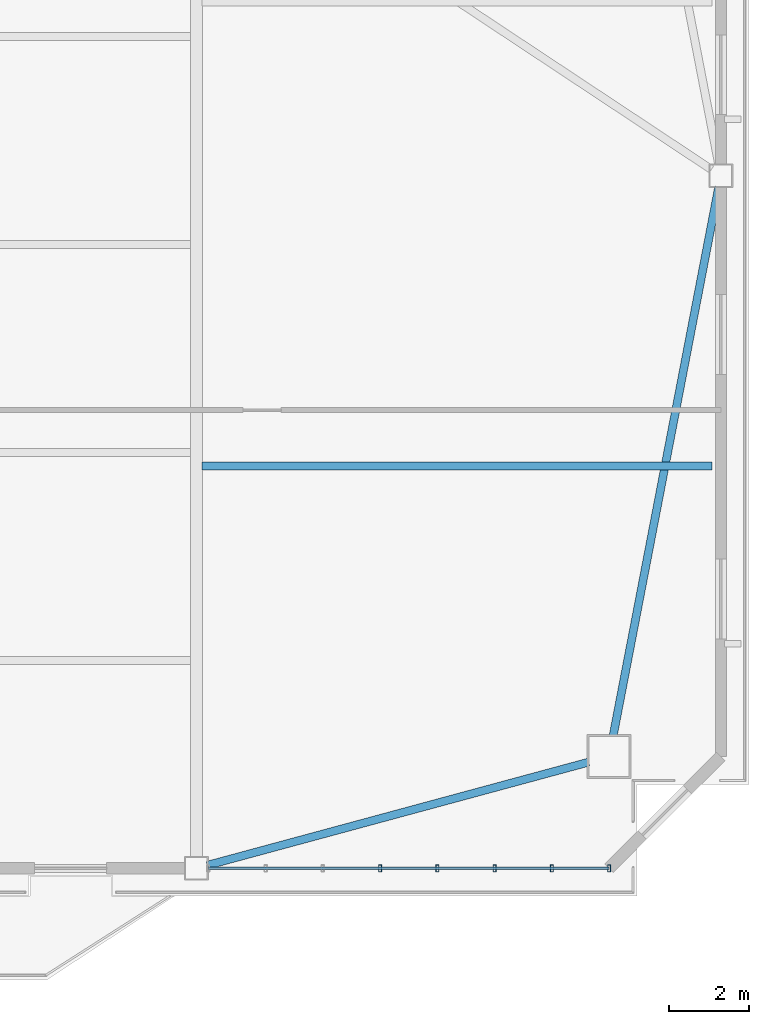
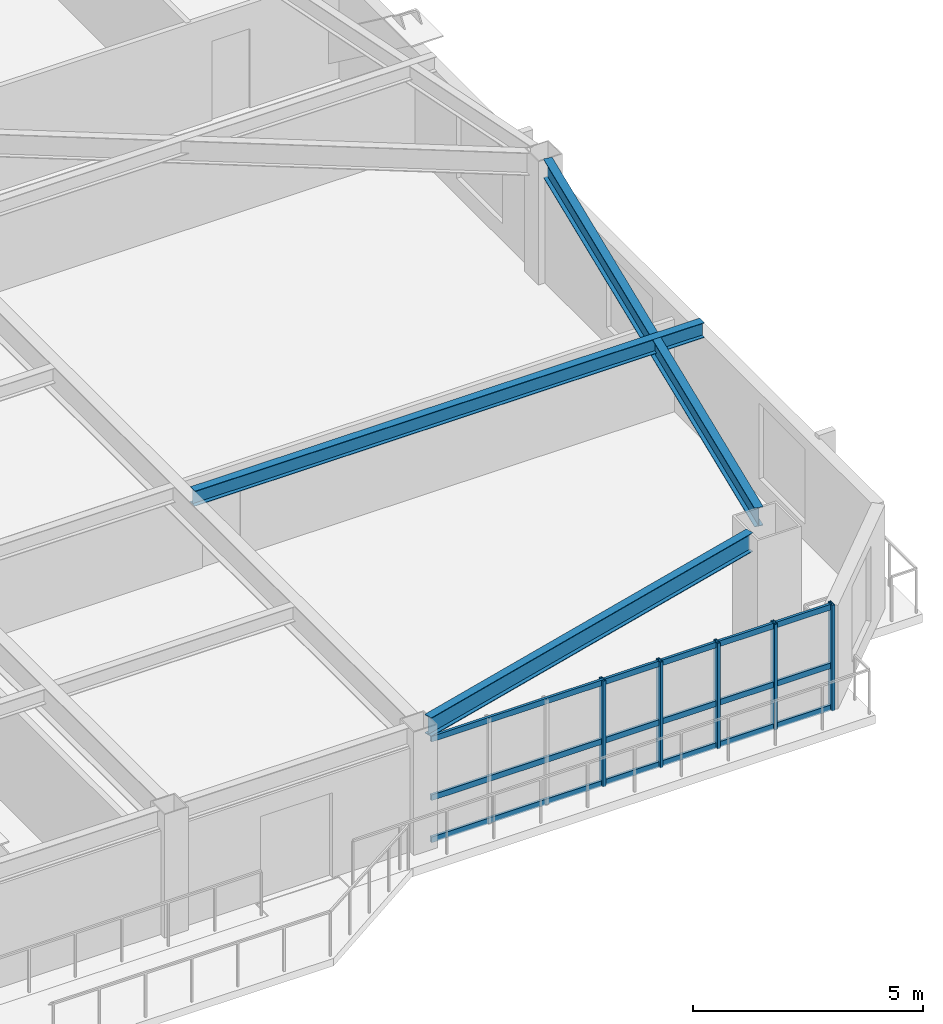
# One storey, part 6 of 17: 8 members, 3 beams, 1 element without a shape of its own.
"""IFC4 building model written with IfcOpenShell, lengths in metres."""

from ifc_helpers import new_model, si_unit, direction, frame, origin, origin_2d, place, context, subcontext, project, spatial, hollow_rectangle, i_section, extrude, source, transform, mapped, material, layer, layer_set, material_profile, profile_set, type_object, element, aggregate, save


model = new_model("IFC4")

# Units and contexts
model_context = context("Model", 3, precision=1e-05, world=origin(), true_north=direction((0.0, 1.0)))
body_context = subcontext(model_context, "Body", "Model", "MODEL_VIEW")
ifc_project = project(units=[si_unit("LENGTHUNIT", "METRE"), si_unit("AREAUNIT", "SQUARE_METRE"), si_unit("VOLUMEUNIT", "CUBIC_METRE"), si_unit("PLANEANGLEUNIT", "RADIAN"), si_unit("MASSUNIT", "GRAM", prefix="KILO")], contexts=[model_context])

# Site, building, storey
site_placement = place(None, origin())
site = spatial("IfcSite", under=ifc_project, at=site_placement, CompositionType="ELEMENT")
building_placement = place(site_placement, origin())
building = spatial("IfcBuilding", under=site, at=building_placement, Name="Giltprow Tower", CompositionType="ELEMENT")
storey_placement = place(building_placement, frame((0.0, 0.0, 206.199951171875)))
storey = spatial("IfcBuildingStorey", under=building, at=storey_placement, Name="L52", CompositionType="ELEMENT", Elevation=206.199951171875)

# Beams
ifc_material_1 = material(Name="Structural steel Q355B", Category="steel")
ifc_material_profile_1 = material_profile(ifc_material_1, i_section(OverallWidth=0.199951171875, OverallDepth=0.5, WebThickness=0.010009765625, FlangeThickness=0.01611328125, at=origin_2d()), Name="HN 500x200x10x16")
ifc_profile_set_1 = profile_set([ifc_material_profile_1], Name="Structural steel Q355B")
beam_type_1 = type_object("IfcBeamType", Name="BM-SPAN-HN500", PredefinedType="SPANDREL", material=ifc_profile_set_1)
shared_shape_1 = source(origin(), body_context, "Body", "SweptSolid", [
    extrude(i_section(OverallWidth=0.199951171875, OverallDepth=0.5, WebThickness=0.010009765625, FlangeThickness=0.01611328125, at=origin_2d()), origin(), (0.0, 0.0, 1.0), 9.90087890625),
])
beam_1_placement = place(storey_placement, frame((50.824951171875, 11.4599609375, 3.02001953125), z_axis=(0.965288823652, 0.261184775459, 0.0), x_axis=(-0.261184775459, 0.965288823652, 0.0)))
element("IfcBeam", 1, at=beam_1_placement, inside=storey, type_object=beam_type_1, Name="L52 Perimeter Spandrel Beam S4-MC_SE", PredefinedType="SPANDREL", context=body_context, shape_type="MappedRepresentation", body=[
    mapped(shared_shape_1, transform((0.0, 0.0, 0.0), x_axis=(1.0, 0.0, 0.0), y_axis=(0.0, 1.0, 0.0), z_axis=(0.0, 0.0, 1.0), scale=1.0)),
])
shared_shape_2 = source(origin(), body_context, "Body", "SweptSolid", [
    extrude(i_section(OverallWidth=0.199951171875, OverallDepth=0.5, WebThickness=0.010009765625, FlangeThickness=0.01611328125, at=origin_2d()), origin(), (0.0, 0.0, 1.0), 14.00390625),
])
beam_2_placement = place(storey_placement, frame((60.9990234375, 14.7109375, 3.02001953125), z_axis=(0.188875844444, 0.982000975247, 0.0), x_axis=(-0.982000975247, 0.188875844444, 0.0)))
element("IfcBeam", 2, at=beam_2_placement, inside=storey, type_object=beam_type_1, Name="L52 Perimeter Spandrel Beam MC_SE-E_MID", PredefinedType="SPANDREL", context=body_context, shape_type="MappedRepresentation", body=[
    mapped(shared_shape_2, transform((0.0, 0.0, 0.0), x_axis=(1.0, 0.0, 0.0), y_axis=(0.0, 1.0, 0.0), z_axis=(0.0, 0.0, 1.0), scale=1.0)),
])
ifc_material_profile_2 = material_profile(ifc_material_1, i_section(OverallWidth=0.199951171875, OverallDepth=0.39990234375, WebThickness=0.008056640625, FlangeThickness=0.012939453125, at=origin_2d()), Name="HN 400x200x8x13")
ifc_profile_set_2 = profile_set([ifc_material_profile_2], Name="Structural steel Q355B")
beam_type_2 = type_object("IfcBeamType", Name="BM-JOIST-HN400", PredefinedType="JOIST", material=ifc_profile_set_2)
shared_shape_3 = source(origin(), body_context, "Body", "SweptSolid", [
    extrude(i_section(OverallWidth=0.199951171875, OverallDepth=0.39990234375, WebThickness=0.008056640625, FlangeThickness=0.012939453125, at=origin_2d()), origin(), (0.0, 0.0, 1.0), 12.782958984375),
])
beam_3_placement = place(storey_placement, frame((50.695068359375, 21.465087890625, 3.070068359375), z_axis=(1.0, 0.0, 0.0), x_axis=(0.0, 1.0, 0.0)))
element("IfcBeam", 3, at=beam_3_placement, inside=storey, type_object=beam_type_2, Name="L52 East Wing Floor Joist 1", PredefinedType="JOIST", context=body_context, shape_type="MappedRepresentation", body=[
    mapped(shared_shape_3, transform((0.0, 0.0, 0.0), x_axis=(1.0, 0.0, 0.0), y_axis=(0.0, 1.0, 0.0), z_axis=(0.0, 0.0, 1.0), scale=1.0)),
])

# Curtain wall, members
ifc_material_2 = material(Name="Anodized bronze", Category="metal")
ifc_layer = layer(ifc_material_2, 0.179931640625, Name="Anodized bronze")
ifc_layer_set = layer_set([ifc_layer], Name="Anodized bronze")
curtain_wall_type = type_object("IfcCurtainWallType", Name="CW-HTL-BRONZE", PredefinedType="NOTDEFINED", material=ifc_layer_set)
curtain_wall_placement = place(storey_placement, origin())
curtain_wall = element("IfcCurtainWall", 4, at=curtain_wall_placement, inside=storey, type_object=curtain_wall_type, Name="L52 South Recessed Curtain Wall 6", PredefinedType="NOTDEFINED")
ifc_material_profile_3 = material_profile(ifc_material_2, hollow_rectangle(XDim=0.074951171875, YDim=0.179931640625, WallThickness=0.008056640625, at=origin_2d()), Name="RHS 180x75x8")
ifc_profile_set_3 = profile_set([ifc_material_profile_3], Name="Anodized bronze")
member_type_1 = type_object("IfcMemberType", Name="CW-MULLION-180x75", PredefinedType="MULLION", material=ifc_profile_set_3)
shared_shape_4 = source(origin(), body_context, "Body", "SweptSolid", [
    extrude(hollow_rectangle(XDim=0.074951171875, YDim=0.179931640625, WallThickness=0.008056640625, at=origin_2d()), origin(), (0.0, 0.0, 1.0), 2.80517578125),
])
member_1_placement = place(storey_placement, frame((55.156005859375, 11.385986328125, -0.02001953125), z_axis=(0.0, 0.0, 1.0), x_axis=(1.0, 0.0, 0.0)))
member_1 = element("IfcMember", 5, at=member_1_placement, type_object=member_type_1, Name="L52 South Recessed Curtain Wall 6 Mullion 4", PredefinedType="MULLION", context=body_context, shape_type="MappedRepresentation", body=[
    mapped(shared_shape_4, transform((0.0, 0.0, 0.0), x_axis=(1.0, 0.0, 0.0), y_axis=(0.0, 1.0, 0.0), z_axis=(0.0, 0.0, 1.0), scale=1.0)),
])
member_2_placement = place(storey_placement, frame((56.592041015625, 11.385986328125, -0.02001953125), z_axis=(0.0, 0.0, 1.0), x_axis=(1.0, 0.0, 0.0)))
member_2 = element("IfcMember", 6, at=member_2_placement, type_object=member_type_1, Name="L52 South Recessed Curtain Wall 6 Mullion 5", PredefinedType="MULLION", context=body_context, shape_type="MappedRepresentation", body=[
    mapped(shared_shape_4, transform((0.0, 0.0, 0.0), x_axis=(1.0, 0.0, 0.0), y_axis=(0.0, 1.0, 0.0), z_axis=(0.0, 0.0, 1.0), scale=1.0)),
])
member_3_placement = place(storey_placement, frame((58.027099609375, 11.385986328125, -0.02001953125), z_axis=(0.0, 0.0, 1.0), x_axis=(1.0, 0.0, 0.0)))
member_3 = element("IfcMember", 7, at=member_3_placement, type_object=member_type_1, Name="L52 South Recessed Curtain Wall 6 Mullion 6", PredefinedType="MULLION", context=body_context, shape_type="MappedRepresentation", body=[
    mapped(shared_shape_4, transform((0.0, 0.0, 0.0), x_axis=(1.0, 0.0, 0.0), y_axis=(0.0, 1.0, 0.0), z_axis=(0.0, 0.0, 1.0), scale=1.0)),
])
member_4_placement = place(storey_placement, frame((59.462890625, 11.385986328125, -0.02001953125), z_axis=(0.0, 0.0, 1.0), x_axis=(1.0, 0.0, 0.0)))
member_4 = element("IfcMember", 8, at=member_4_placement, type_object=member_type_1, Name="L52 South Recessed Curtain Wall 6 Mullion 7", PredefinedType="MULLION", context=body_context, shape_type="MappedRepresentation", body=[
    mapped(shared_shape_4, transform((0.0, 0.0, 0.0), x_axis=(1.0, 0.0, 0.0), y_axis=(0.0, 1.0, 0.0), z_axis=(0.0, 0.0, 1.0), scale=1.0)),
])
member_5_placement = place(storey_placement, frame((60.89794921875, 11.385986328125, -0.02001953125), z_axis=(0.0, 0.0, 1.0), x_axis=(1.0, 0.0, 0.0)))
member_5 = element("IfcMember", 9, at=member_5_placement, type_object=member_type_1, Name="L52 South Recessed Curtain Wall 6 Mullion 8", PredefinedType="MULLION", context=body_context, shape_type="MappedRepresentation", body=[
    mapped(shared_shape_4, transform((0.0, 0.0, 0.0), x_axis=(1.0, 0.0, 0.0), y_axis=(0.0, 1.0, 0.0), z_axis=(0.0, 0.0, 1.0), scale=1.0)),
])
ifc_material_profile_4 = material_profile(ifc_material_2, hollow_rectangle(XDim=0.06494140625, YDim=0.14990234375, WallThickness=0.006103515625, at=origin_2d()), Name="RHS 150x65x6")
ifc_profile_set_4 = profile_set([ifc_material_profile_4], Name="Anodized bronze")
member_type_2 = type_object("IfcMemberType", Name="CW-TRANSOM-150x65", PredefinedType="USERDEFINED", material=ifc_profile_set_4)
shared_shape_5 = source(origin(), body_context, "Body", "SweptSolid", [
    extrude(hollow_rectangle(XDim=0.06494140625, YDim=0.14990234375, WallThickness=0.006103515625, at=origin_2d()), origin(), (0.0, 0.0, 1.0), 10.0478515625),
])
member_6_placement = place(storey_placement, frame((50.85009765625, 11.385986328125, 0.0400390625), z_axis=(1.0, 0.0, 0.0), x_axis=(0.0, 1.0, 0.0)))
member_6 = element("IfcMember", 10, at=member_6_placement, type_object=member_type_2, Name="L52 South Recessed Curtain Wall 6 Transom 1", ObjectType="TRANSOM", PredefinedType="USERDEFINED", context=body_context, shape_type="MappedRepresentation", body=[
    mapped(shared_shape_5, transform((0.0, 0.0, 0.0), x_axis=(1.0, 0.0, 0.0), y_axis=(0.0, 1.0, 0.0), z_axis=(0.0, 0.0, 1.0), scale=1.0)),
])
member_7_placement = place(storey_placement, frame((50.85009765625, 11.385986328125, 1.155029296875), z_axis=(1.0, 0.0, 0.0), x_axis=(0.0, 1.0, 0.0)))
member_7 = element("IfcMember", 11, at=member_7_placement, type_object=member_type_2, Name="L52 South Recessed Curtain Wall 6 Transom 2", ObjectType="TRANSOM", PredefinedType="USERDEFINED", context=body_context, shape_type="MappedRepresentation", body=[
    mapped(shared_shape_5, transform((0.0, 0.0, 0.0), x_axis=(1.0, 0.0, 0.0), y_axis=(0.0, 1.0, 0.0), z_axis=(0.0, 0.0, 1.0), scale=1.0)),
])
member_8_placement = place(storey_placement, frame((50.85009765625, 11.385986328125, 2.7099609375), z_axis=(1.0, 0.0, 0.0), x_axis=(0.0, 1.0, 0.0)))
member_8 = element("IfcMember", 12, at=member_8_placement, type_object=member_type_2, Name="L52 South Recessed Curtain Wall 6 Transom 3", ObjectType="TRANSOM", PredefinedType="USERDEFINED", context=body_context, shape_type="MappedRepresentation", body=[
    mapped(shared_shape_5, transform((0.0, 0.0, 0.0), x_axis=(1.0, 0.0, 0.0), y_axis=(0.0, 1.0, 0.0), z_axis=(0.0, 0.0, 1.0), scale=1.0)),
])
aggregate(curtain_wall, [member_1, member_2, member_3, member_4, member_5, member_6, member_7, member_8])

save(model, "model.ifc")
